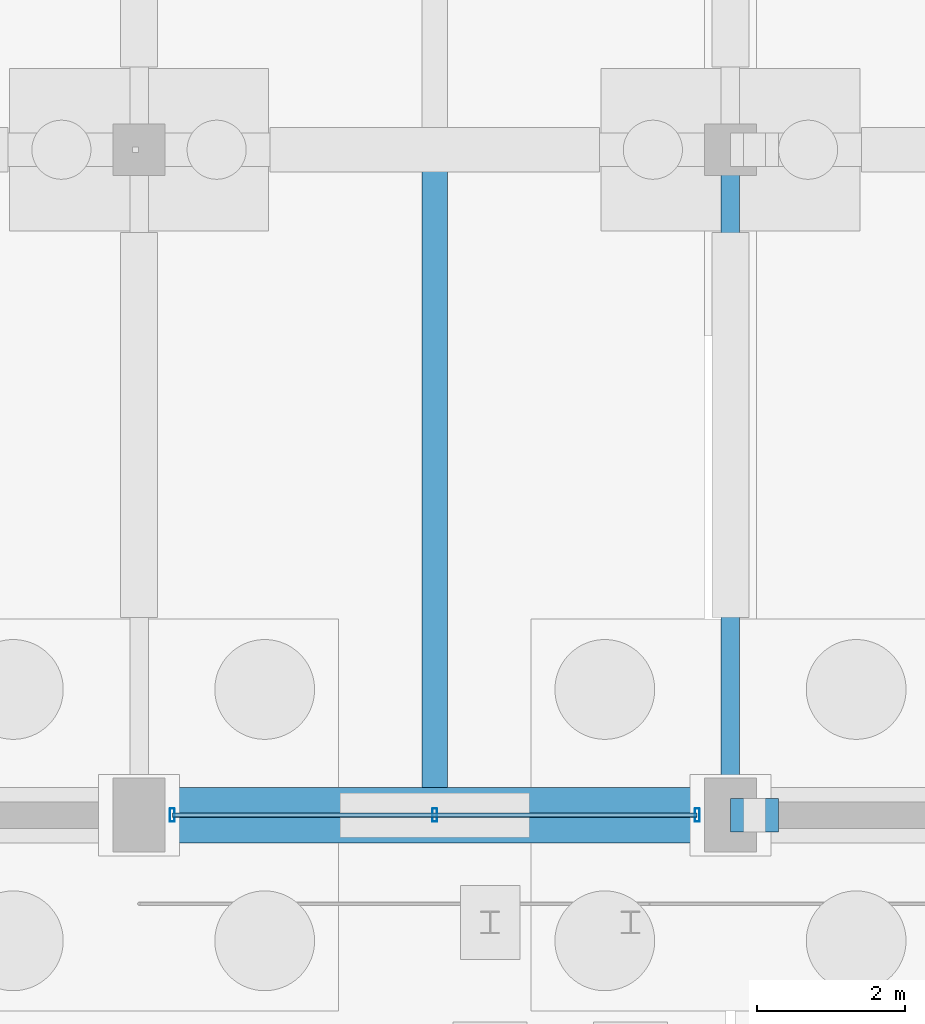
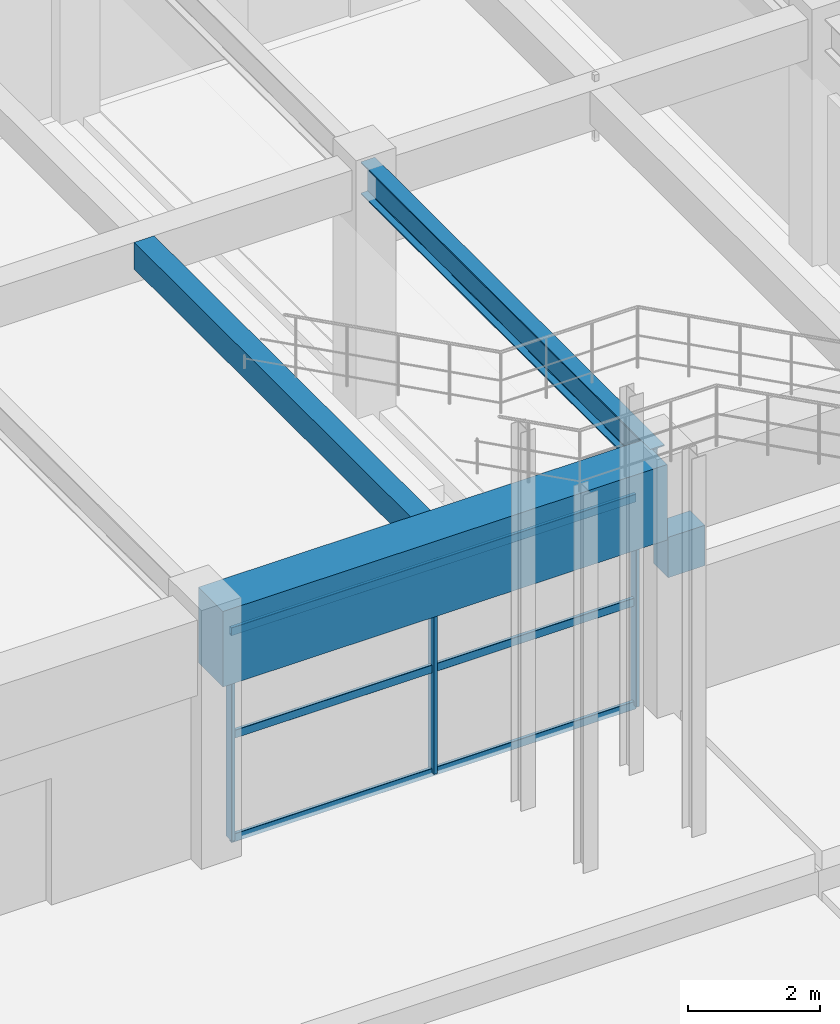
# One storey, part 85 of 147: 6 members, 4 beams, 1 element without a shape of its own.
"""IFC4 building model written with IfcOpenShell, lengths in metres."""

from ifc_helpers import new_model, si_unit, direction, frame, origin, origin_2d, place, context, subcontext, project, spatial, rectangle, hollow_rectangle, i_section, extrude, material, material_profile, profile_set, type_object, element, aggregate, save


model = new_model("IFC4")

# Units and contexts
model_context = context("Model", 3, precision=1e-05, world=origin(), true_north=direction((0.0, 1.0)))
body_context = subcontext(model_context, "Body", "Model", "MODEL_VIEW")
ifc_project = project(units=[si_unit("LENGTHUNIT", "METRE"), si_unit("AREAUNIT", "SQUARE_METRE"), si_unit("VOLUMEUNIT", "CUBIC_METRE"), si_unit("PLANEANGLEUNIT", "RADIAN"), si_unit("MASSUNIT", "GRAM", prefix="KILO")], contexts=[model_context])

# Site, building, storey
site_placement = place(None, origin())
site = spatial("IfcSite", under=ifc_project, at=site_placement, CompositionType="ELEMENT")
building_placement = place(site_placement, origin())
building = spatial("IfcBuilding", under=site, at=building_placement, Name="Varnabhumi Central Station", CompositionType="ELEMENT")
storey_placement = place(building_placement, origin())
storey = spatial("IfcBuildingStorey", under=building, at=storey_placement, Name="L00", CompositionType="ELEMENT", Elevation=0.0)

# Beams
ifc_material_1 = material(Name="Concrete M50", Category="concrete")
ifc_material_profile_1 = material_profile(ifc_material_1, rectangle(XDim=0.75, YDim=1.39990234375, at=origin_2d()), Name="Concrete M50", Category="concrete")
ifc_profile_set_1 = profile_set([ifc_material_profile_1], Name="Concrete M50")
beam_type_1 = type_object("IfcBeamType", Name="BM-RC-1400x750", PredefinedType="BEAM", material=ifc_profile_set_1)
beam_1_placement = place(storey_placement, frame((112.10009765625, 80.0, 3.85009765625), z_axis=(1.0, 0.0, 0.0), x_axis=(0.0, 1.0, 0.0)))
element("IfcBeam", 1, at=beam_1_placement, inside=storey, type_object=beam_type_1, Name="Beam L00-K:15-16", PredefinedType="BEAM", context=body_context, shape_type="SweptSolid", body=[
    extrude(rectangle(XDim=0.75, YDim=1.39990234375, at=origin_2d()), origin(), (0.0, 0.0, 1.0), 7.7998046875),
])
ifc_material_2 = material(Name="Concrete M40", Category="concrete")
ifc_material_profile_2 = material_profile(ifc_material_2, rectangle(XDim=0.35009765625, YDim=0.5, at=origin_2d()), Name="Concrete M40", Category="concrete")
ifc_profile_set_2 = profile_set([ifc_material_profile_2], Name="Concrete M40")
beam_type_2 = type_object("IfcBeamType", Name="BM-RC-350x500", PredefinedType="JOIST", material=ifc_profile_set_2)
beam_2_placement = place(storey_placement, frame((116.0, 80.375, 4.300048828125), z_axis=(0.0, 1.0, 0.0), x_axis=(-1.0, 0.0, 0.0)))
element("IfcBeam", 2, at=beam_2_placement, inside=storey, type_object=beam_type_2, Name="Secondary Joist L00-15/16:K-L", PredefinedType="JOIST", context=body_context, shape_type="SweptSolid", body=[
    extrude(rectangle(XDim=0.35009765625, YDim=0.5, at=origin_2d()), origin(), (0.0, 0.0, 1.0), 8.39990234375),
])
ifc_material_profile_3 = material_profile(ifc_material_2, rectangle(XDim=0.449951171875, YDim=0.75, at=origin_2d()), Name="Concrete M40", Category="concrete")
ifc_profile_set_3 = profile_set([ifc_material_profile_3], Name="Concrete M40")
beam_type_3 = type_object("IfcBeamType", Name="BM-RC-450x750", PredefinedType="BEAM", material=ifc_profile_set_3)
beam_3_placement = place(storey_placement, frame((120.0, 80.0, 2.695068359375), z_axis=(1.0, 0.0, 0.0), x_axis=(0.0, 1.0, 0.0)))
element("IfcBeam", 3, at=beam_3_placement, inside=storey, type_object=beam_type_3, Name="Movement Joint 650mm Corbel Seat L00-K-16", PredefinedType="BEAM", context=body_context, shape_type="SweptSolid", body=[
    extrude(rectangle(XDim=0.449951171875, YDim=0.75, at=origin_2d()), origin(), (0.0, 0.0, 1.0), 0.64990234375),
])
ifc_material_3 = material(Name="Structural steel E350", Category="steel")
ifc_material_profile_4 = material_profile(ifc_material_3, i_section(OverallWidth=0.25, OverallDepth=0.60009765625, WebThickness=0.01171875, FlangeThickness=0.023681640625, FilletRadius=0.01708984375, at=origin_2d()), Name="Structural steel E350", Category="steel")
ifc_profile_set_4 = profile_set([ifc_material_profile_4], Name="Structural steel E350")
beam_type_4 = type_object("IfcBeamType", Name="BM-SEC-ISWB600", PredefinedType="BEAM", material=ifc_profile_set_4)
beam_4_placement = place(storey_placement, frame((120.0, 80.10009765625, 4.25), z_axis=(0.0, 1.0, 0.0), x_axis=(-1.0, 0.0, 0.0)))
element("IfcBeam", 4, at=beam_4_placement, inside=storey, type_object=beam_type_4, Name="Beam L00-16:K-L", PredefinedType="BEAM", context=body_context, shape_type="SweptSolid", body=[
    extrude(i_section(OverallWidth=0.25, OverallDepth=0.60009765625, WebThickness=0.01171875, FlangeThickness=0.023681640625, FilletRadius=0.01708984375, at=origin_2d()), origin(), (0.0, 0.0, 1.0), 8.7998046875),
])

# Curtain wall, members
ifc_material_4 = material(Name="Anodised aluminium 6063-T6", Category="aluminium")
curtain_wall_type = type_object("IfcCurtainWallType", Name="CW-SPINE-SCREEN-L0", PredefinedType="NOTDEFINED", material=ifc_material_4)
curtain_wall_placement = place(storey_placement, origin())
curtain_wall = element("IfcCurtainWall", 5, at=curtain_wall_placement, inside=storey, type_object=curtain_wall_type, Name="Curtain Wall CW-NS014", PredefinedType="NOTDEFINED")
ifc_material_profile_5 = material_profile(ifc_material_4, hollow_rectangle(XDim=0.06494140625, YDim=0.179931640625, WallThickness=0.00390625, InnerFilletRadius=0.001953125, OuterFilletRadius=0.006103515625, at=origin_2d()), Name="Anodised aluminium 6063-T6", Category="aluminium")
ifc_profile_set_5 = profile_set([ifc_material_profile_5], Name="Anodised aluminium 6063-T6")
member_type_1 = type_object("IfcMemberType", Name="CW-MUL-180", PredefinedType="MULLION", material=ifc_profile_set_5)
member_1_placement = place(storey_placement, frame((112.449951171875, 80.0, 0.0), z_axis=(0.0, 0.0, 1.0), x_axis=(1.0, 0.0, 0.0)))
member_1 = element("IfcMember", 6, at=member_1_placement, type_object=member_type_1, Name="Curtain Wall Mullion CW-NS014-M1", PredefinedType="MULLION", context=body_context, shape_type="SweptSolid", body=[
    extrude(hollow_rectangle(XDim=0.06494140625, YDim=0.179931640625, WallThickness=0.00390625, InnerFilletRadius=0.001953125, OuterFilletRadius=0.006103515625, at=origin_2d()), origin(), (0.0, 0.0, 1.0), 3.840087890625),
])
member_2_placement = place(storey_placement, frame((116.0, 80.0, 0.0), z_axis=(0.0, 0.0, 1.0), x_axis=(1.0, 0.0, 0.0)))
member_2 = element("IfcMember", 7, at=member_2_placement, type_object=member_type_1, Name="Curtain Wall Mullion CW-NS014-M2", PredefinedType="MULLION", context=body_context, shape_type="SweptSolid", body=[
    extrude(hollow_rectangle(XDim=0.06494140625, YDim=0.179931640625, WallThickness=0.00390625, InnerFilletRadius=0.001953125, OuterFilletRadius=0.006103515625, at=origin_2d()), origin(), (0.0, 0.0, 1.0), 3.840087890625),
])
member_3_placement = place(storey_placement, frame((119.550048828125, 80.0, 0.0), z_axis=(0.0, 0.0, 1.0), x_axis=(1.0, 0.0, 0.0)))
member_3 = element("IfcMember", 8, at=member_3_placement, type_object=member_type_1, Name="Curtain Wall Mullion CW-NS014-M3", PredefinedType="MULLION", context=body_context, shape_type="SweptSolid", body=[
    extrude(hollow_rectangle(XDim=0.06494140625, YDim=0.179931640625, WallThickness=0.00390625, InnerFilletRadius=0.001953125, OuterFilletRadius=0.006103515625, at=origin_2d()), origin(), (0.0, 0.0, 1.0), 3.840087890625),
])
ifc_material_profile_6 = material_profile(ifc_material_4, hollow_rectangle(XDim=0.06005859375, YDim=0.14990234375, WallThickness=0.00390625, InnerFilletRadius=0.001953125, OuterFilletRadius=0.006103515625, at=origin_2d()), Name="Anodised aluminium 6063-T6", Category="aluminium")
ifc_profile_set_6 = profile_set([ifc_material_profile_6], Name="Anodised aluminium 6063-T6")
member_type_2 = type_object("IfcMemberType", Name="CW-TR-150", PredefinedType="USERDEFINED", material=ifc_profile_set_6)
member_4_placement = place(storey_placement, frame((112.449951171875, 80.0, 0.0), z_axis=(1.0, 0.0, 0.0), x_axis=(0.0, 1.0, 0.0)))
member_4 = element("IfcMember", 9, at=member_4_placement, type_object=member_type_2, Name="Curtain Wall Transom CW-NS014-T1", ObjectType="TRANSOM", PredefinedType="USERDEFINED", context=body_context, shape_type="SweptSolid", body=[
    extrude(hollow_rectangle(XDim=0.06005859375, YDim=0.14990234375, WallThickness=0.00390625, InnerFilletRadius=0.001953125, OuterFilletRadius=0.006103515625, at=origin_2d()), origin(), (0.0, 0.0, 1.0), 7.10009765625),
])
member_5_placement = place(storey_placement, frame((112.449951171875, 80.0, 1.919921875), z_axis=(1.0, 0.0, 0.0), x_axis=(0.0, 1.0, 0.0)))
member_5 = element("IfcMember", 10, at=member_5_placement, type_object=member_type_2, Name="Curtain Wall Transom CW-NS014-T2", ObjectType="TRANSOM", PredefinedType="USERDEFINED", context=body_context, shape_type="SweptSolid", body=[
    extrude(hollow_rectangle(XDim=0.06005859375, YDim=0.14990234375, WallThickness=0.00390625, InnerFilletRadius=0.001953125, OuterFilletRadius=0.006103515625, at=origin_2d()), origin(), (0.0, 0.0, 1.0), 7.10009765625),
])
member_6_placement = place(storey_placement, frame((112.449951171875, 80.0, 3.840087890625), z_axis=(1.0, 0.0, 0.0), x_axis=(0.0, 1.0, 0.0)))
member_6 = element("IfcMember", 11, at=member_6_placement, type_object=member_type_2, Name="Curtain Wall Transom CW-NS014-T3", ObjectType="TRANSOM", PredefinedType="USERDEFINED", context=body_context, shape_type="SweptSolid", body=[
    extrude(hollow_rectangle(XDim=0.06005859375, YDim=0.14990234375, WallThickness=0.00390625, InnerFilletRadius=0.001953125, OuterFilletRadius=0.006103515625, at=origin_2d()), origin(), (0.0, 0.0, 1.0), 7.10009765625),
])
aggregate(curtain_wall, [member_1, member_2, member_3, member_4, member_5, member_6])

save(model, "model.ifc")
